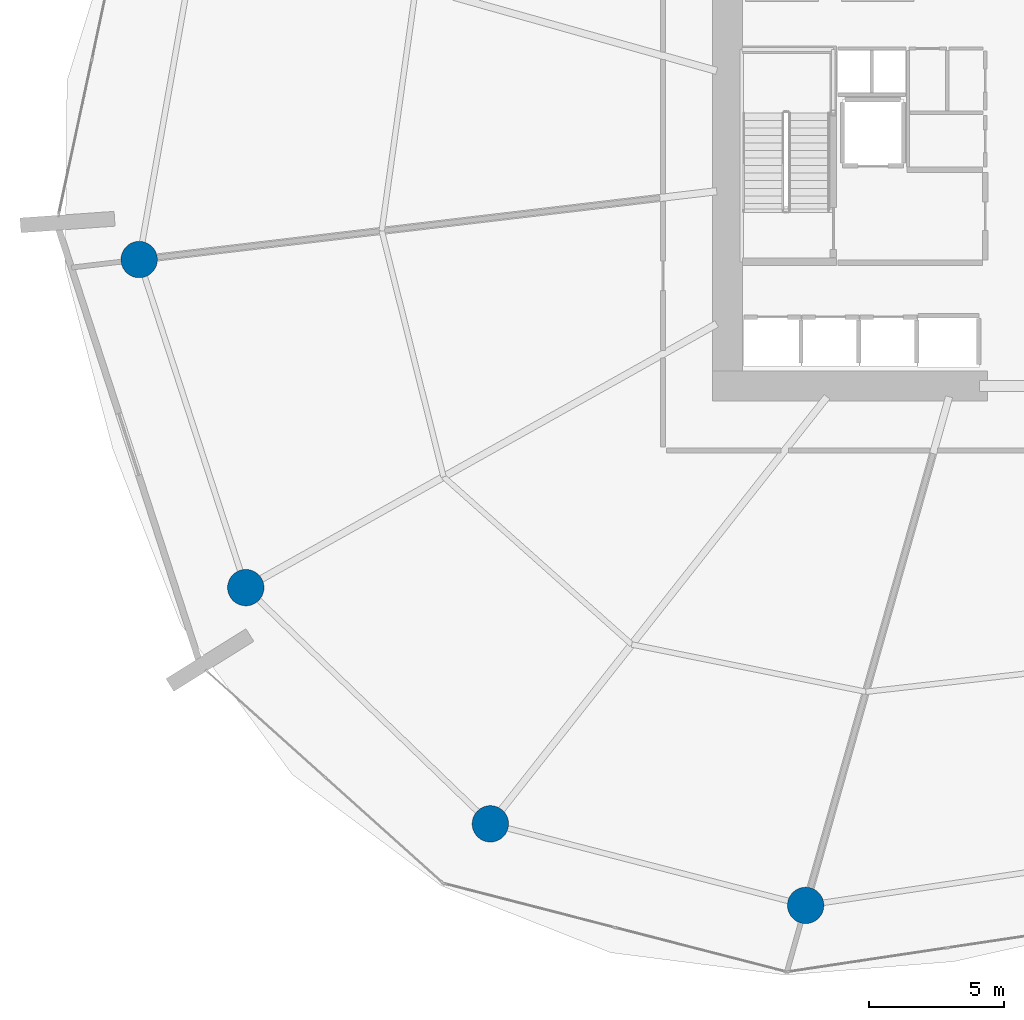
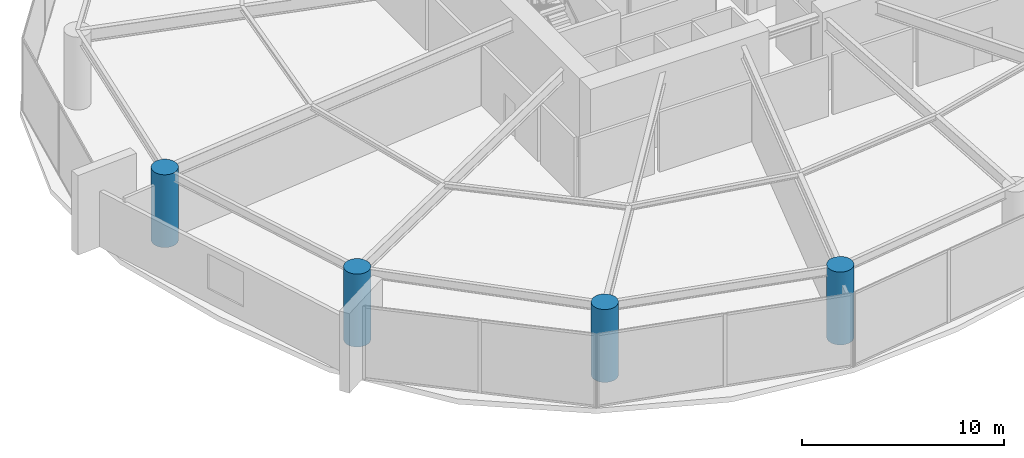
# One storey, part 1 of 22: 4 columns.
"""IFC4 building model written with IfcOpenShell, lengths in metres."""

from ifc_helpers import new_model, si_unit, direction, frame, origin, origin_2d, place, context, subcontext, project, spatial, circle, extrude, material, material_profile, profile_set, type_object, element, save


model = new_model("IFC4")

# Units and contexts
model_context = context("Model", 3, precision=1e-05, world=origin(), true_north=direction((0.0, 1.0)))
body_context = subcontext(model_context, "Body", "Model", "MODEL_VIEW")
ifc_project = project(units=[si_unit("LENGTHUNIT", "METRE"), si_unit("AREAUNIT", "SQUARE_METRE"), si_unit("VOLUMEUNIT", "CUBIC_METRE"), si_unit("PLANEANGLEUNIT", "RADIAN"), si_unit("MASSUNIT", "GRAM", prefix="KILO")], contexts=[model_context])

# Site, building, storey
site_placement = place(None, origin())
site = spatial("IfcSite", under=ifc_project, at=site_placement, CompositionType="ELEMENT")
building_placement = place(site_placement, origin())
building = spatial("IfcBuilding", under=site, at=building_placement, Name="Kazma Halo Residences", CompositionType="ELEMENT")
storey_placement = place(building_placement, frame((0.0, 0.0, 16.800048828125)))
storey = spatial("IfcBuildingStorey", under=building, at=storey_placement, Name="L03", CompositionType="ELEMENT", Elevation=16.800048828125)

# Columns
ifc_material = material(Name="Concrete C80/95", Category="concrete")
ifc_material_profile = material_profile(ifc_material, circle(Radius=0.675048828125, at=origin_2d()), Name="CIRC1350")
ifc_profile_set = profile_set([ifc_material_profile], Name="Concrete C80/95")
column_type = type_object("IfcColumnType", Name="COL-PERIM-1350", PredefinedType="COLUMN", material=ifc_profile_set)
for number, where, z_axis, x_axis, name in (
    (1, (15.410400390625, 38.142822265625, 0.0), (0.0, 0.0, 1.0), (1.0, 0.0, 0.0), "L03 perimeter ring column P08"),
    (2, (19.3671875, 25.96484375, 0.0), (0.0, 0.0, 1.0), (1.0, 0.0, 0.0), "L03 perimeter ring column P09"),
    (3, (28.44677734375, 17.19677734375, 0.0), (0.0, 0.0, 1.0), (1.0, 0.0, 0.0), "L03 perimeter ring column P10"),
    (4, (40.15087890625, 14.168701171875, 0.0), (0.0, 0.0, 1.0), (1.0, 0.0, 0.0), "L03 perimeter ring column P11"),
):
    element("IfcColumn", number, at=place(storey_placement, frame(where, z_axis=z_axis, x_axis=x_axis)), inside=storey, type_object=column_type, Name=name, PredefinedType="COLUMN", context=body_context, shape_type="SweptSolid", body=[
        extrude(circle(Radius=0.675048828125, at=origin_2d()), origin(), (0.0, 0.0, 1.0), 4.39990234375),
    ])

save(model, "model.ifc")
